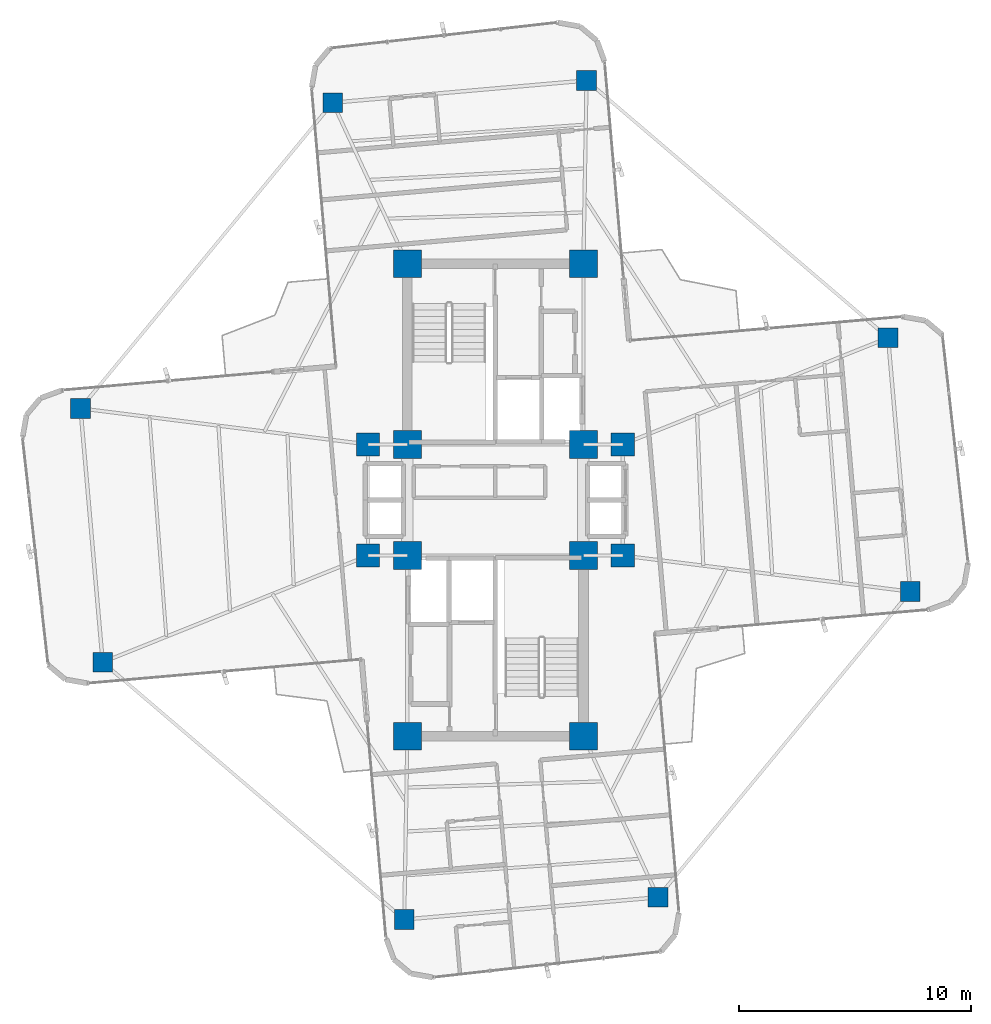
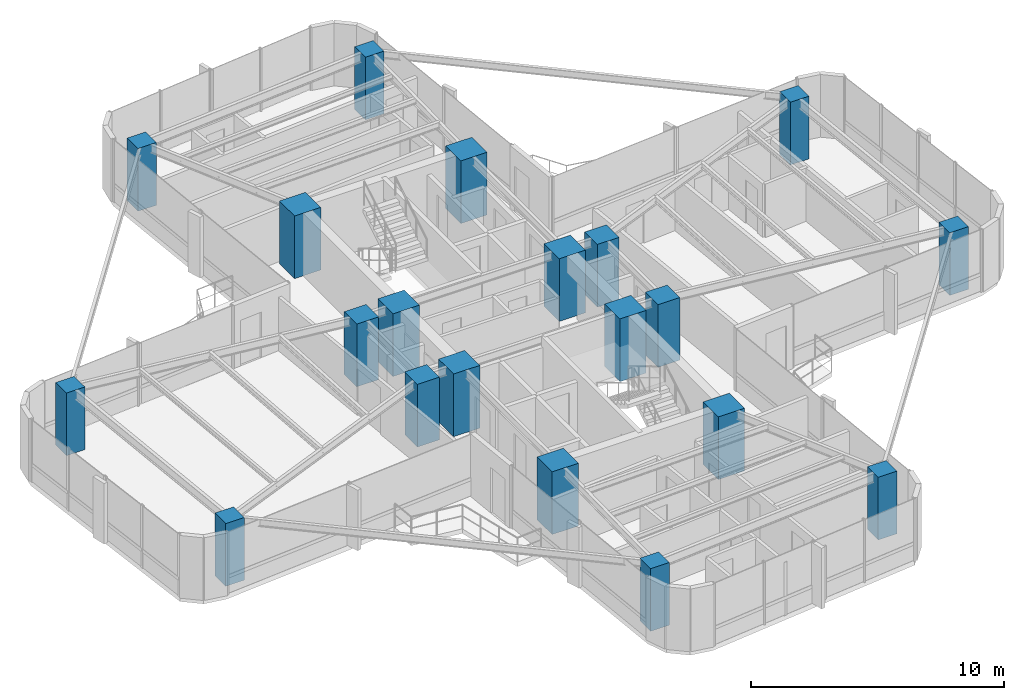
# One storey, part 1 of 24: 20 columns.
"""IFC4 building model written with IfcOpenShell, lengths in metres."""

from ifc_helpers import new_model, si_unit, direction, frame, origin, origin_2d, place, context, subcontext, project, spatial, rectangle, extrude, source, transform, mapped, material, material_profile, profile_set, type_object, element, save


model = new_model("IFC4")

# Units and contexts
model_context = context("Model", 3, precision=1e-05, world=origin(), true_north=direction((0.0, 1.0)))
body_context = subcontext(model_context, "Body", "Model", "MODEL_VIEW")
ifc_project = project(units=[si_unit("LENGTHUNIT", "METRE"), si_unit("AREAUNIT", "SQUARE_METRE"), si_unit("VOLUMEUNIT", "CUBIC_METRE"), si_unit("PLANEANGLEUNIT", "RADIAN"), si_unit("MASSUNIT", "GRAM", prefix="KILO")], contexts=[model_context])

# Site, building, storey
site_placement = place(None, origin())
site = spatial("IfcSite", under=ifc_project, at=site_placement, CompositionType="ELEMENT")
building_placement = place(site_placement, origin())
building = spatial("IfcBuilding", under=site, at=building_placement, Name="Sahyath Konkavel Grand Hotel", CompositionType="ELEMENT")
storey_placement = place(building_placement, frame((0.0, 0.0, 198.64990234375)))
storey = spatial("IfcBuildingStorey", under=building, at=storey_placement, Name="L55", CompositionType="ELEMENT", Elevation=198.64990234375)

# Columns
ifc_material_1 = material(Name="Concrete C50/60", Category="concrete")
ifc_material_profile_1 = material_profile(ifc_material_1, rectangle(XDim=1.199951171875, YDim=1.199951171875, at=origin_2d()), Name="RC 1200x1200")
ifc_profile_set_1 = profile_set([ifc_material_profile_1], Name="Concrete C50/60")
column_type_1 = type_object("IfcColumnType", Name="COL-RC1200", PredefinedType="COLUMN", material=ifc_profile_set_1)
shared_shape_1 = source(origin(), body_context, "Body", "SweptSolid", [
    extrude(rectangle(XDim=1.199951171875, YDim=1.199951171875, at=origin_2d()), origin(), (0.0, 0.0, 1.0), 3.030029296875),
])
for number, where, z_axis, x_axis, name in (
    (1, (-3.800048828125, 2.39990234375, 0.0), (0.0, 0.0, 1.0), (1.0, 0.0, 0.0), "L55 Core Boundary Column NC-SW"),
    (2, (3.800048828125, 2.39990234375, 0.0), (0.0, 0.0, 1.0), (1.0, 0.0, 0.0), "L55 Core Boundary Column NC-SE"),
    (3, (-3.800048828125, 10.199951171875, 0.0), (0.0, 0.0, 1.0), (1.0, 0.0, 0.0), "L55 Core Boundary Column NC-NW"),
    (4, (3.800048828125, 10.199951171875, 0.0), (0.0, 0.0, 1.0), (1.0, 0.0, 0.0), "L55 Core Boundary Column NC-NE"),
    (5, (-3.800048828125, -2.39990234375, 0.0), (0.0, 0.0, 1.0), (1.0, 0.0, 0.0), "L55 Core Boundary Column SC-NW"),
    (6, (3.800048828125, -2.39990234375, 0.0), (0.0, 0.0, 1.0), (1.0, 0.0, 0.0), "L55 Core Boundary Column SC-NE"),
    (7, (-3.800048828125, -10.199951171875, 0.0), (0.0, 0.0, 1.0), (1.0, 0.0, 0.0), "L55 Core Boundary Column SC-SW"),
    (8, (3.800048828125, -10.199951171875, 0.0), (0.0, 0.0, 1.0), (1.0, 0.0, 0.0), "L55 Core Boundary Column SC-SE"),
):
    element("IfcColumn", number, at=place(storey_placement, frame(where, z_axis=z_axis, x_axis=x_axis)), inside=storey, type_object=column_type_1, Name=name, PredefinedType="COLUMN", context=body_context, shape_type="MappedRepresentation", body=[
        mapped(shared_shape_1, transform((0.0, 0.0, 0.0), scale=1.0)),
    ])
ifc_material_profile_2 = material_profile(ifc_material_1, rectangle(XDim=1.0, YDim=1.0, at=origin_2d()), Name="RC 1000x1000")
ifc_profile_set_2 = profile_set([ifc_material_profile_2], Name="Concrete C50/60")
column_type_2 = type_object("IfcColumnType", Name="COL-RC1000", PredefinedType="COLUMN", material=ifc_profile_set_2)
shared_shape_2 = source(origin(), body_context, "Body", "SweptSolid", [
    extrude(rectangle(XDim=1.0, YDim=1.0, at=origin_2d()), origin(), (0.0, 0.0, 1.0), 3.030029296875),
])
for number, where, z_axis, x_axis, name in (
    (9, (5.5, 2.39990234375, 0.0), (0.0, 0.0, 1.0), (1.0, 0.0, 0.0), "L55 Central Spine Column HB-NE"),
    (10, (-5.5, 2.39990234375, 0.0), (0.0, 0.0, 1.0), (1.0, 0.0, 0.0), "L55 Central Spine Column HB-NW"),
    (11, (5.5, -2.39990234375, 0.0), (0.0, 0.0, 1.0), (1.0, 0.0, 0.0), "L55 Central Spine Column HB-SE"),
    (12, (-5.5, -2.39990234375, 0.0), (0.0, 0.0, 1.0), (1.0, 0.0, 0.0), "L55 Central Spine Column HB-SW"),
):
    element("IfcColumn", number, at=place(storey_placement, frame(where, z_axis=z_axis, x_axis=x_axis)), inside=storey, type_object=column_type_2, Name=name, PredefinedType="COLUMN", context=body_context, shape_type="MappedRepresentation", body=[
        mapped(shared_shape_2, transform((0.0, 0.0, 0.0), scale=1.0)),
    ])
ifc_material_2 = material(Name="Concrete C40/50", Category="concrete")
ifc_material_profile_3 = material_profile(ifc_material_2, rectangle(XDim=0.85009765625, YDim=0.85009765625, at=origin_2d()), Name="RC 850x850")
ifc_profile_set_3 = profile_set([ifc_material_profile_3], Name="Concrete C40/50")
column_type_3 = type_object("IfcColumnType", Name="COL-RC850", PredefinedType="COLUMN", material=ifc_profile_set_3)
shared_shape_3 = source(origin(), body_context, "Body", "SweptSolid", [
    extrude(rectangle(XDim=0.85009765625, YDim=0.85009765625, at=origin_2d()), origin(), (0.0, 0.0, 1.0), 3.030029296875),
])
for number, where, z_axis, x_axis, name in (
    (13, (17.912841796875, -3.953857421875, 0.0), (0.0, 0.0, 1.0), (1.0, 0.0, 0.0), "L55 Cruciform Wing Column WC-EA"),
    (14, (16.9541015625, 7.00439453125, 0.0), (0.0, 0.0, 1.0), (1.0, 0.0, 0.0), "L55 Cruciform Wing Column WC-EB"),
    (15, (3.936279296875, 18.112060546875, 0.0), (0.0, 0.0, 1.0), (1.0, 0.0, 0.0), "L55 Cruciform Wing Column WC-NA"),
    (16, (-7.021728515625, 17.1533203125, 0.0), (0.0, 0.0, 1.0), (1.0, 0.0, 0.0), "L55 Cruciform Wing Column WC-NB"),
    (17, (-17.912841796875, 3.953857421875, 0.0), (0.0, 0.0, 1.0), (1.0, 0.0, 0.0), "L55 Cruciform Wing Column WC-WA"),
    (18, (-16.9541015625, -7.00439453125, 0.0), (0.0, 0.0, 1.0), (1.0, 0.0, 0.0), "L55 Cruciform Wing Column WC-WB"),
    (19, (-3.936279296875, -18.112060546875, 0.0), (0.0, 0.0, 1.0), (1.0, 0.0, 0.0), "L55 Cruciform Wing Column WC-SA"),
    (20, (7.021728515625, -17.1533203125, 0.0), (0.0, 0.0, 1.0), (1.0, 0.0, 0.0), "L55 Cruciform Wing Column WC-SB"),
):
    element("IfcColumn", number, at=place(storey_placement, frame(where, z_axis=z_axis, x_axis=x_axis)), inside=storey, type_object=column_type_3, Name=name, PredefinedType="COLUMN", context=body_context, shape_type="MappedRepresentation", body=[
        mapped(shared_shape_3, transform((0.0, 0.0, 0.0), scale=1.0)),
    ])

save(model, "model.ifc")
